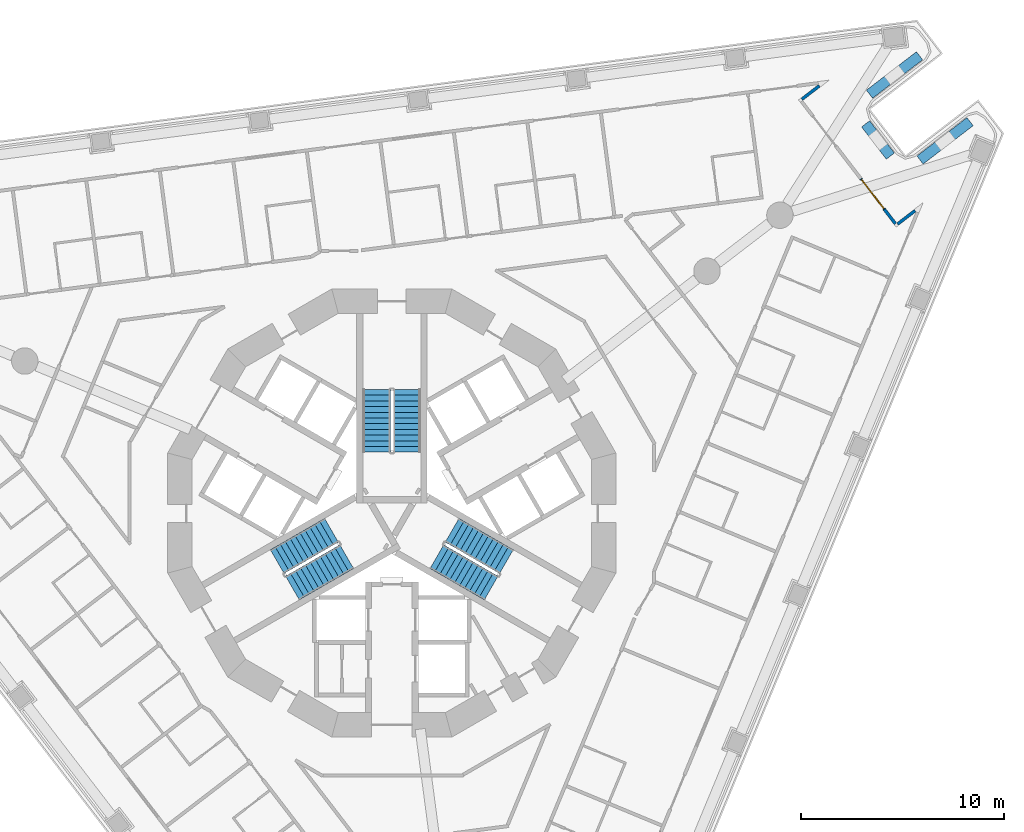
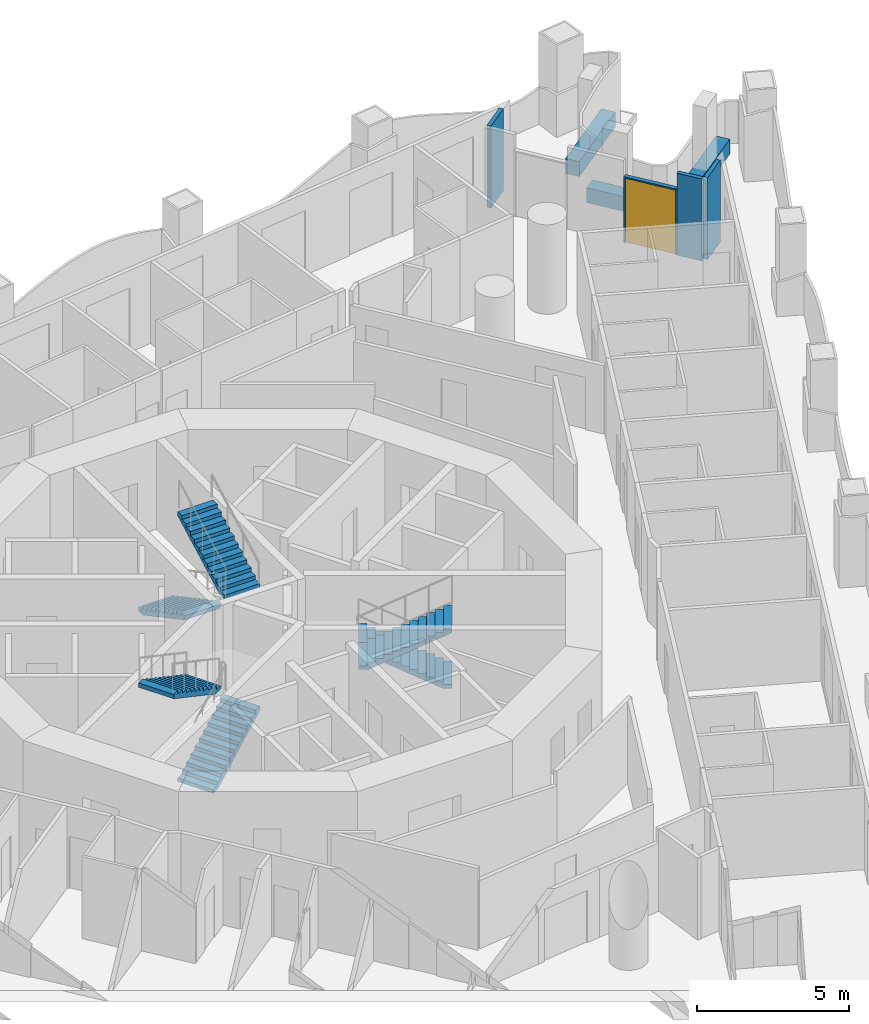
# One storey, part 11 of 19: 7 walls, 6 stair flights, 1 door, 1 opening, 3 elements without a shape of their own.
"""IFC4 building model written with IfcOpenShell, lengths in metres."""

from ifc_helpers import new_model, si_unit, direction, frame, frame_2d, origin, place, context, subcontext, project, spatial, polyline, rectangle, outline, extrude, material, layer, layer_set, type_object, element, fill, aggregate, save


model = new_model("IFC4")

# Units and contexts
model_context = context("Model", 3, precision=1e-05, world=origin(), true_north=direction((0.0, 1.0)))
body_context = subcontext(model_context, "Body", "Model", "MODEL_VIEW")
ifc_project = project(units=[si_unit("LENGTHUNIT", "METRE"), si_unit("AREAUNIT", "SQUARE_METRE"), si_unit("VOLUMEUNIT", "CUBIC_METRE"), si_unit("PLANEANGLEUNIT", "RADIAN"), si_unit("MASSUNIT", "GRAM", prefix="KILO")], contexts=[model_context])

# Site, building, storey
site_placement = place(None, origin())
site = spatial("IfcSite", under=ifc_project, at=site_placement, CompositionType="ELEMENT")
building_placement = place(site_placement, origin())
building = spatial("IfcBuilding", under=site, at=building_placement, Name="Trine Commons Tower", CompositionType="ELEMENT")
storey_placement = place(building_placement, frame((0.0, 0.0, 57.60009765625)))
storey = spatial("IfcBuildingStorey", under=building, at=storey_placement, Name="L13", CompositionType="ELEMENT", Elevation=57.60009765625)

# Wall
ifc_material_1 = material(Name="Aluminium-framed insulated wall panel", Category="aluminium")
ifc_layer_1 = layer(ifc_material_1, 0.14990234375)
ifc_layer_set_1 = layer_set([ifc_layer_1], Name="Aluminium-framed insulated wall panel")
wall_type_1 = type_object("IfcWallType", Name="Glazed frame wall 150, EI 60", PredefinedType="SOLIDWALL", material=ifc_layer_set_1)
wall_1_placement = place(storey_placement, frame((101.129150390625, 83.584716796875, 0.0), z_axis=(0.0, 0.0, 1.0), x_axis=(-0.79337253673, -0.608736410905, 0.0)))
element("IfcWall", 1, at=wall_1_placement, inside=storey, type_object=wall_type_1, Name="Glazed frame wall R5", PredefinedType="SOLIDWALL", context=body_context, shape_type="SweptSolid", body=[
    extrude(outline(polyline([(0.1494140625, 0.074951171875), (0.1494140625, -0.074951171875), (1.235107421875, -0.074951171875), (1.235107421875, 0.074951171875), (0.1494140625, 0.074951171875)])), origin(), (0.0, 0.0, 1.0), 3.2998046875),
])

# Wall, opening, door
wall_2_placement = place(storey_placement, frame((103.051513671875, 78.927490234375, 0.0), z_axis=(0.0, 0.0, 1.0), x_axis=(0.608803740143, -0.793320872023, 0.0)))
wall_2 = element("IfcWall", 2, at=wall_2_placement, inside=storey, type_object=wall_type_1, Name="Glazed frame wall P2.4", PredefinedType="SOLIDWALL", context=body_context, shape_type="SweptSolid", body=[
    extrude(outline(polyline([(0.0, -0.074951171875), (1.89990234375, -0.074951171875), (1.89990234375, 0.074951171875), (0.0, 0.074951171875), (0.0, -0.074951171875)])), origin(), (0.0, 0.0, 1.0), 2.64990234375),
])
opening_placement = place(wall_2_placement, frame((0.050048828125, 0.0, 0.0)))
opening = element("IfcOpeningElement", 3, at=opening_placement, cuts=wall_2, Name="Opening BD-2P2-02", PredefinedType="OPENING", context=body_context, shape_type="SweptSolid", body=[
    extrude(rectangle(XDim=1.800048828125, YDim=2.60009765625, at=frame_2d((0.89990234375, 1.300048828125))), frame((0.0, 0.0849609375, 0.0), z_axis=(0.0, -1.0, 0.0), x_axis=(1.0, 0.0, 0.0)), (0.0, 0.0, 1.0), 0.169921875),
])
ifc_material_2 = material(Name="Anodised aluminium frame with double glazing", Category="aluminium")
door_type = type_object("IfcDoorType", Name="Sliding loggia door 1800x2600", OperationType="SLIDING_TO_LEFT", PredefinedType="DOOR", material=ifc_material_2)
door_placement = place(opening_placement, origin())
door = element("IfcDoor", 4, at=door_placement, inside=storey, type_object=door_type, Name="Loggia door P2 2", OperationType="SLIDING_TO_LEFT", OverallHeight=2.60009765625, OverallWidth=1.800048828125, PredefinedType="DOOR", context=body_context, shape_type="SweptSolid", body=[
    extrude(rectangle(XDim=1.800048828125, YDim=2.60009765625, at=frame_2d((0.89990234375, 1.300048828125))), frame((0.0, 0.02490234375, 0.0), z_axis=(0.0, -1.0, 0.0), x_axis=(1.0, 0.0, 0.0)), (0.0, 0.0, 1.0), 0.050048828125),
])
fill(opening, door)

# Walls
wall_3_placement = place(storey_placement, frame((104.208251953125, 77.420166015625, 0.0), z_axis=(0.0, 0.0, 1.0), x_axis=(0.608754453805, -0.793358692504, 0.0)))
element("IfcWall", 5, at=wall_3_placement, inside=storey, type_object=wall_type_1, Name="Glazed frame wall P2.5", PredefinedType="SOLIDWALL", context=body_context, shape_type="SweptSolid", body=[
    extrude(outline(polyline([(0.889892578125, 0.074951171875), (0.0, 0.074951171875), (0.0, -0.074951171875), (0.889892578125, -0.074951171875), (0.889892578125, 0.074951171875)])), origin(), (0.0, 0.0, 1.0), 3.2998046875),
])
wall_4_placement = place(storey_placement, frame((104.767822265625, 76.63330078125, 0.0), z_axis=(0.0, 0.0, 1.0), x_axis=(0.793352136239, 0.608762998157, 0.0)))
element("IfcWall", 6, at=wall_4_placement, inside=storey, type_object=wall_type_1, Name="Glazed frame wall R7", PredefinedType="SOLIDWALL", context=body_context, shape_type="SweptSolid", body=[
    extrude(outline(polyline([(0.110107421875, 0.074951171875), (0.110107421875, -0.074951171875), (1.19580078125, -0.074951171875), (1.19580078125, 0.074951171875), (0.110107421875, 0.074951171875)])), origin(), (0.0, 0.0, 1.0), 3.2998046875),
])
ifc_material_3 = material(Name="Planter trough, precast concrete C40/50", Category="concrete")
ifc_layer_2 = layer(ifc_material_3, 0.5)
ifc_layer_set_2 = layer_set([ifc_layer_2], Name="Planter trough, precast concrete C40/50")
wall_type_2 = type_object("IfcWallType", Name="Planter trough 500x600", PredefinedType="PARAPET", material=ifc_layer_set_2)
wall_5_placement = place(storey_placement, frame((105.933349609375, 84.970703125, 0.0), z_axis=(0.0, 0.0, 1.0), x_axis=(-0.793355321014, -0.608758847671, 0.0)))
element("IfcWall", 7, at=wall_5_placement, inside=storey, type_object=wall_type_2, Name="Planter 4", PredefinedType="PARAPET", context=body_context, shape_type="SweptSolid", body=[
    extrude(rectangle(XDim=3.10009765625, YDim=0.5, at=frame_2d((1.550048828125, 0.0))), origin(), (0.0, 0.0, 1.0), 0.599853515625),
])
wall_6_placement = place(storey_placement, frame((103.281982421875, 81.625244140625, 0.0), z_axis=(0.0, 0.0, 1.0), x_axis=(0.608772331974, -0.793344974033, 0.0)))
element("IfcWall", 8, at=wall_6_placement, inside=storey, type_object=wall_type_2, Name="Planter 5", PredefinedType="PARAPET", context=body_context, shape_type="SweptSolid", body=[
    extrude(rectangle(XDim=2.0, YDim=0.5, at=frame_2d((1.0, 0.0))), origin(), (0.0, 0.0, 1.0), 0.599853515625),
])
wall_7_placement = place(storey_placement, frame((105.95751953125, 79.8466796875, 0.0), z_axis=(0.0, 0.0, 1.0), x_axis=(0.793355321014, 0.608758847671, 0.0)))
element("IfcWall", 9, at=wall_7_placement, inside=storey, type_object=wall_type_2, Name="Planter 6", PredefinedType="PARAPET", context=body_context, shape_type="SweptSolid", body=[
    extrude(rectangle(XDim=3.10009765625, YDim=0.5, at=frame_2d((1.550048828125, 0.0))), origin(), (0.0, 0.0, 1.0), 0.599853515625),
])

# Stair, stair flights
ifc_material_4 = material(Name="Concrete C50/60", Category="concrete")
stair_type = type_object("IfcStairType", Name="Exit stair, dog-leg, 24 risers of 150 mm", PredefinedType="HALF_TURN_STAIR", material=ifc_material_4)
stair_1_placement = place(storey_placement, origin())
stair_1 = element("IfcStair", 10, at=stair_1_placement, inside=storey, type_object=stair_type, Name="L13 Exit stair ST1A", PredefinedType="HALF_TURN_STAIR")
stair_flight_type = type_object("IfcStairFlightType", Name="Stair flight, 1350 wide, 12 risers of 150 mm", PredefinedType="STRAIGHT", material=ifc_material_4)
stair_flight_1_placement = place(storey_placement, frame((79.25, 68.570556640625, 0.0), z_axis=(0.0, 0.0, 1.0), x_axis=(0.0, -1.0, 0.0)))
stair_flight_1 = element("IfcStairFlight", 11, at=stair_flight_1_placement, type_object=stair_flight_type, Name="ST1A flight 1", NumberOfRisers=12, NumberOfTreads=11, PredefinedType="STRAIGHT", RiserHeight=0.15, TreadLength=0.28, context=body_context, shape_type="SweptSolid", body=[
    extrude(outline(polyline([(0.0, 0.0), (0.0, 0.14990234375), (0.280029296875, 0.14990234375), (0.280029296875, 0.300048828125), (0.56005859375, 0.300048828125), (0.56005859375, 0.449951171875), (0.840087890625, 0.449951171875), (0.840087890625, 0.60009765625), (1.1201171875, 0.60009765625), (1.1201171875, 0.75), (1.39990234375, 0.75), (1.39990234375, 0.89990234375), (1.679931640625, 0.89990234375), (1.679931640625, 1.050048828125), (1.9599609375, 1.050048828125), (1.9599609375, 1.199951171875), (2.239990234375, 1.199951171875), (2.239990234375, 1.35009765625), (2.52001953125, 1.35009765625), (2.52001953125, 1.5), (2.800048828125, 1.5), (2.800048828125, 1.64990234375), (3.080078125, 1.64990234375), (3.080078125, 1.800048828125), (3.080078125, 1.47998046875), (0.3173828125, 0.0), (0.0, 0.0)])), frame((0.0, 0.675048828125, 0.0), z_axis=(0.0, -1.0, 0.0), x_axis=(1.0, 0.0, 0.0)), (0.0, 0.0, 1.0), 1.35009765625),
])
stair_flight_2_placement = place(storey_placement, frame((80.75, 65.490478515625, 1.7998046875), z_axis=(0.0, 0.0, 1.0), x_axis=(0.0, 1.0, 0.0)))
stair_flight_2 = element("IfcStairFlight", 12, at=stair_flight_2_placement, type_object=stair_flight_type, Name="ST1A flight 2", NumberOfRisers=12, NumberOfTreads=11, PredefinedType="STRAIGHT", RiserHeight=0.15, TreadLength=0.28, context=body_context, shape_type="SweptSolid", body=[
    extrude(outline(polyline([(0.0, 0.0), (0.0, 0.14990234375), (0.280029296875, 0.14990234375), (0.280029296875, 0.300048828125), (0.56005859375, 0.300048828125), (0.56005859375, 0.449951171875), (0.840087890625, 0.449951171875), (0.840087890625, 0.60009765625), (1.1201171875, 0.60009765625), (1.1201171875, 0.75), (1.39990234375, 0.75), (1.39990234375, 0.89990234375), (1.679931640625, 0.89990234375), (1.679931640625, 1.050048828125), (1.9599609375, 1.050048828125), (1.9599609375, 1.199951171875), (2.239990234375, 1.199951171875), (2.239990234375, 1.35009765625), (2.52001953125, 1.35009765625), (2.52001953125, 1.5), (2.800048828125, 1.5), (2.800048828125, 1.64990234375), (3.080078125, 1.64990234375), (3.080078125, 1.800048828125), (3.080078125, 1.47998046875), (0.3173828125, 0.0), (0.0, 0.0)])), frame((0.0, 0.675048828125, 0.0), z_axis=(0.0, -1.0, 0.0), x_axis=(1.0, 0.0, 0.0)), (0.0, 0.0, 1.0), 1.35009765625),
])
aggregate(stair_1, [stair_flight_1, stair_flight_2])

stair_2_placement = place(storey_placement, origin())
stair_2 = element("IfcStair", 13, at=stair_2_placement, inside=storey, type_object=stair_type, Name="L13 Exit stair ST2A", PredefinedType="HALF_TURN_STAIR")
stair_flight_3_placement = place(storey_placement, frame((75.11767578125, 58.815185546875, 0.0), z_axis=(0.0, 0.0, 1.0), x_axis=(0.866025403784, 0.5, 0.0)))
stair_flight_3 = element("IfcStairFlight", 14, at=stair_flight_3_placement, type_object=stair_flight_type, Name="ST2A flight 1", NumberOfRisers=12, NumberOfTreads=11, PredefinedType="STRAIGHT", RiserHeight=0.15, TreadLength=0.28, context=body_context, shape_type="SweptSolid", body=[
    extrude(outline(polyline([(0.0, 0.0), (0.0, 0.14990234375), (0.280029296875, 0.14990234375), (0.280029296875, 0.300048828125), (0.56005859375, 0.300048828125), (0.56005859375, 0.449951171875), (0.840087890625, 0.449951171875), (0.840087890625, 0.60009765625), (1.1201171875, 0.60009765625), (1.1201171875, 0.75), (1.39990234375, 0.75), (1.39990234375, 0.89990234375), (1.679931640625, 0.89990234375), (1.679931640625, 1.050048828125), (1.9599609375, 1.050048828125), (1.9599609375, 1.199951171875), (2.239990234375, 1.199951171875), (2.239990234375, 1.35009765625), (2.52001953125, 1.35009765625), (2.52001953125, 1.5), (2.800048828125, 1.5), (2.800048828125, 1.64990234375), (3.080078125, 1.64990234375), (3.080078125, 1.800048828125), (3.080078125, 1.47998046875), (0.3173828125, 0.0), (0.0, 0.0)])), frame((0.0, 0.675048828125, 0.0), z_axis=(0.0, -1.0, 0.0), x_axis=(1.0, 0.0, 0.0)), (0.0, 0.0, 1.0), 1.35009765625),
])
stair_flight_4_placement = place(storey_placement, frame((77.03515625, 61.654296875, 1.7998046875), z_axis=(0.0, 0.0, 1.0), x_axis=(-0.866025403784, -0.5, 0.0)))
stair_flight_4 = element("IfcStairFlight", 15, at=stair_flight_4_placement, type_object=stair_flight_type, Name="ST2A flight 2", NumberOfRisers=12, NumberOfTreads=11, PredefinedType="STRAIGHT", RiserHeight=0.15, TreadLength=0.28, context=body_context, shape_type="SweptSolid", body=[
    extrude(outline(polyline([(0.0, 0.0), (0.0, 0.14990234375), (0.280029296875, 0.14990234375), (0.280029296875, 0.300048828125), (0.56005859375, 0.300048828125), (0.56005859375, 0.449951171875), (0.840087890625, 0.449951171875), (0.840087890625, 0.60009765625), (1.1201171875, 0.60009765625), (1.1201171875, 0.75), (1.39990234375, 0.75), (1.39990234375, 0.89990234375), (1.679931640625, 0.89990234375), (1.679931640625, 1.050048828125), (1.9599609375, 1.050048828125), (1.9599609375, 1.199951171875), (2.239990234375, 1.199951171875), (2.239990234375, 1.35009765625), (2.52001953125, 1.35009765625), (2.52001953125, 1.5), (2.800048828125, 1.5), (2.800048828125, 1.64990234375), (3.080078125, 1.64990234375), (3.080078125, 1.800048828125), (3.080078125, 1.47998046875), (0.3173828125, 0.0), (0.0, 0.0)])), frame((0.0, 0.675048828125, 0.0), z_axis=(0.0, -1.0, 0.0), x_axis=(1.0, 0.0, 0.0)), (0.0, 0.0, 1.0), 1.35009765625),
])
aggregate(stair_2, [stair_flight_3, stair_flight_4])

stair_3_placement = place(storey_placement, origin())
stair_3 = element("IfcStair", 16, at=stair_3_placement, inside=storey, type_object=stair_type, Name="L13 Exit stair ST3A", PredefinedType="HALF_TURN_STAIR")
stair_flight_5_placement = place(storey_placement, frame((85.63232421875, 60.1142578125, 0.0), z_axis=(0.0, 0.0, 1.0), x_axis=(-0.866025403784, 0.5, 0.0)))
stair_flight_5 = element("IfcStairFlight", 17, at=stair_flight_5_placement, type_object=stair_flight_type, Name="ST3A flight 1", NumberOfRisers=12, NumberOfTreads=11, PredefinedType="STRAIGHT", RiserHeight=0.15, TreadLength=0.28, context=body_context, shape_type="SweptSolid", body=[
    extrude(outline(polyline([(0.0, 0.0), (0.0, 0.14990234375), (0.280029296875, 0.14990234375), (0.280029296875, 0.300048828125), (0.56005859375, 0.300048828125), (0.56005859375, 0.449951171875), (0.840087890625, 0.449951171875), (0.840087890625, 0.60009765625), (1.1201171875, 0.60009765625), (1.1201171875, 0.75), (1.39990234375, 0.75), (1.39990234375, 0.89990234375), (1.679931640625, 0.89990234375), (1.679931640625, 1.050048828125), (1.9599609375, 1.050048828125), (1.9599609375, 1.199951171875), (2.239990234375, 1.199951171875), (2.239990234375, 1.35009765625), (2.52001953125, 1.35009765625), (2.52001953125, 1.5), (2.800048828125, 1.5), (2.800048828125, 1.64990234375), (3.080078125, 1.64990234375), (3.080078125, 1.800048828125), (3.080078125, 1.47998046875), (0.3173828125, 0.0), (0.0, 0.0)])), frame((0.0, 0.675048828125, 0.0), z_axis=(0.0, -1.0, 0.0), x_axis=(1.0, 0.0, 0.0)), (0.0, 0.0, 1.0), 1.35009765625),
])
stair_flight_6_placement = place(storey_placement, frame((82.21484375, 60.355224609375, 1.7998046875), z_axis=(0.0, 0.0, 1.0), x_axis=(0.866025403784, -0.5, 0.0)))
stair_flight_6 = element("IfcStairFlight", 18, at=stair_flight_6_placement, type_object=stair_flight_type, Name="ST3A flight 2", NumberOfRisers=12, NumberOfTreads=11, PredefinedType="STRAIGHT", RiserHeight=0.15, TreadLength=0.28, context=body_context, shape_type="SweptSolid", body=[
    extrude(outline(polyline([(0.0, 0.0), (0.0, 0.14990234375), (0.280029296875, 0.14990234375), (0.280029296875, 0.300048828125), (0.56005859375, 0.300048828125), (0.56005859375, 0.449951171875), (0.840087890625, 0.449951171875), (0.840087890625, 0.60009765625), (1.1201171875, 0.60009765625), (1.1201171875, 0.75), (1.39990234375, 0.75), (1.39990234375, 0.89990234375), (1.679931640625, 0.89990234375), (1.679931640625, 1.050048828125), (1.9599609375, 1.050048828125), (1.9599609375, 1.199951171875), (2.239990234375, 1.199951171875), (2.239990234375, 1.35009765625), (2.52001953125, 1.35009765625), (2.52001953125, 1.5), (2.800048828125, 1.5), (2.800048828125, 1.64990234375), (3.080078125, 1.64990234375), (3.080078125, 1.800048828125), (3.080078125, 1.47998046875), (0.3173828125, 0.0), (0.0, 0.0)])), frame((0.0, 0.675048828125, 0.0), z_axis=(0.0, -1.0, 0.0), x_axis=(1.0, 0.0, 0.0)), (0.0, 0.0, 1.0), 1.35009765625),
])
aggregate(stair_3, [stair_flight_5, stair_flight_6])

save(model, "model.ifc")
